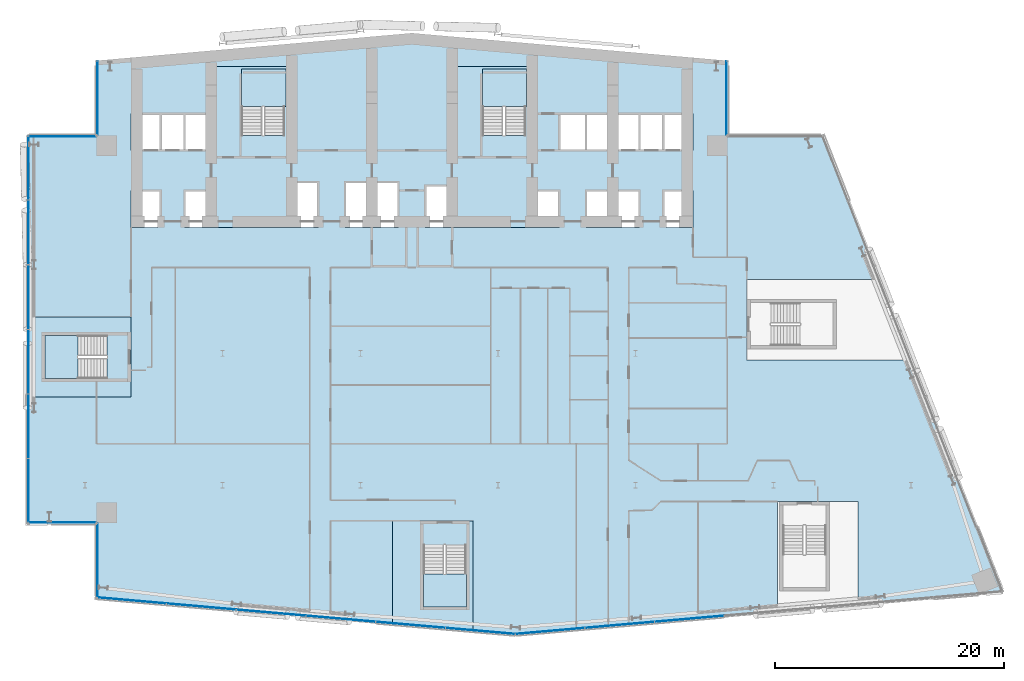
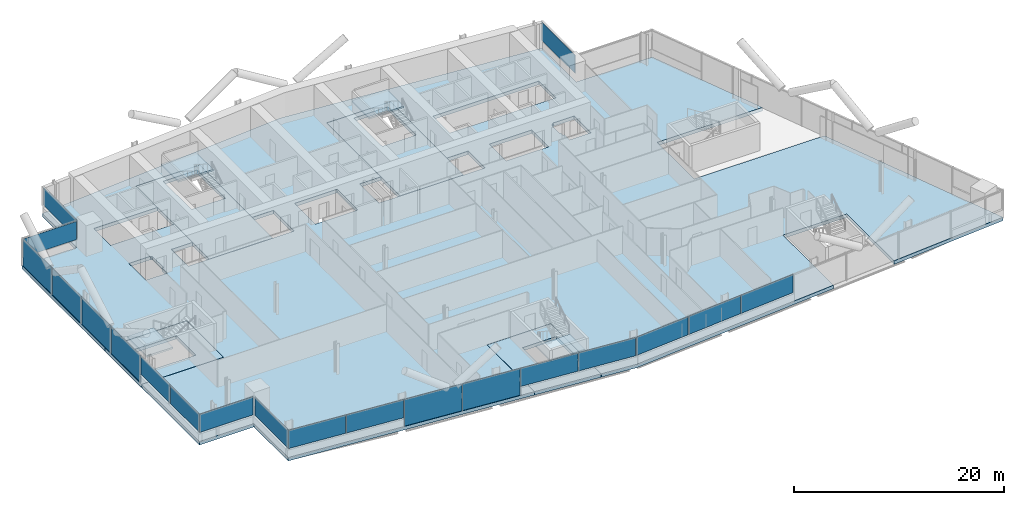
# One storey, part 12 of 27: 20 plates, 9 slabs, 12 elements without a shape of their own.
"""IFC4 building model written with IfcOpenShell, lengths in metres."""

from ifc_helpers import new_model, si_unit, direction, frame, origin, origin_2d, place, context, subcontext, project, spatial, polyline, rectangle, outline, extrude, material, layer, layer_set, type_object, element, aggregate, save


model = new_model("IFC4")

# Units and contexts
model_context = context("Model", 3, precision=1e-05, world=origin(), true_north=direction((0.0, 1.0)))
body_context = subcontext(model_context, "Body", "Model", "MODEL_VIEW")
ifc_project = project(units=[si_unit("LENGTHUNIT", "METRE"), si_unit("AREAUNIT", "SQUARE_METRE"), si_unit("VOLUMEUNIT", "CUBIC_METRE"), si_unit("PLANEANGLEUNIT", "RADIAN"), si_unit("MASSUNIT", "GRAM", prefix="KILO")], contexts=[model_context])

# Site, building, storey
site_placement = place(None, origin())
site = spatial("IfcSite", under=ifc_project, at=site_placement, CompositionType="ELEMENT")
building_placement = place(site_placement, origin())
building = spatial("IfcBuilding", under=site, at=building_placement, Name="Wharfspan Tower", CompositionType="ELEMENT")
storey_placement = place(building_placement, frame((0.0, 0.0, 111.100098)))
storey = spatial("IfcBuildingStorey", under=building, at=storey_placement, Name="L25", CompositionType="ELEMENT", Elevation=111.100098)

# Curtain wall, plates
ifc_material_1 = material(Name="Aluminium 6063-T6", Category="aluminium")
curtain_wall_type_1 = type_object("IfcCurtainWallType", Name="CURTAIN WALL FACETED FRONT", PredefinedType="NOTDEFINED", material=ifc_material_1)
curtain_wall_1_placement = place(storey_placement, origin())
curtain_wall_1 = element("IfcCurtainWall", 1, at=curtain_wall_1_placement, inside=storey, type_object=curtain_wall_type_1, Name="Curtain wall S1", PredefinedType="NOTDEFINED")
ifc_material_2 = material(Name="Glass clear low-iron double glazing", Category="glass")
ifc_layer_1 = layer(ifc_material_2, 0.040039)
ifc_layer_set_1 = layer_set([ifc_layer_1], Name="Glass clear low-iron double glazing")
plate_type_1 = type_object("IfcPlateType", Name="GLASS PANEL FACETED FRONT 40", PredefinedType="CURTAIN_PANEL", material=ifc_layer_set_1)
plate_1_placement = place(storey_placement, frame((16.061768, 1.467529, 0.999756), z_axis=(0.0, 0.0, 1.0), x_axis=(0.996198, -0.087156, 0.0)))
plate_1 = element("IfcPlate", 2, at=plate_1_placement, type_object=plate_type_1, Name="Curtain wall S1 panel 1", PredefinedType="CURTAIN_PANEL", context=body_context, shape_type="SweptSolid", body=[
    extrude(rectangle(XDim=6.016602, YDim=0.040039, at=origin_2d()), origin(), (0.0, 0.0, 1.0), 2.120117),
])
plate_2_placement = place(storey_placement, frame((22.130127, 0.936523, 0.999756), z_axis=(0.0, 0.0, 1.0), x_axis=(0.996198, -0.087156, 0.0)))
plate_2 = element("IfcPlate", 3, at=plate_2_placement, type_object=plate_type_1, Name="Curtain wall S1 panel 2", PredefinedType="CURTAIN_PANEL", context=body_context, shape_type="SweptSolid", body=[
    extrude(rectangle(XDim=6.046631, YDim=0.040039, at=origin_2d()), origin(), (0.0, 0.0, 1.0), 2.120117),
])
plate_3_placement = place(storey_placement, frame((40.380127, -0.660156, 0.999756), z_axis=(0.0, 0.0, 1.0), x_axis=(0.996198, -0.087156, 0.0)))
plate_3 = element("IfcPlate", 4, at=plate_3_placement, type_object=plate_type_1, Name="Curtain wall S1 panel 5", PredefinedType="CURTAIN_PANEL", context=body_context, shape_type="SweptSolid", body=[
    extrude(rectangle(XDim=6.046631, YDim=0.040039, at=origin_2d()), origin(), (0.0, 0.0, 1.0), 2.120117),
])
plate_4_placement = place(storey_placement, frame((46.44873, -1.191162, 0.999756), z_axis=(0.0, 0.0, 1.0), x_axis=(0.996198, -0.087156, 0.0)))
plate_4 = element("IfcPlate", 5, at=plate_4_placement, type_object=plate_type_1, Name="Curtain wall S1 panel 6", PredefinedType="CURTAIN_PANEL", context=body_context, shape_type="SweptSolid", body=[
    extrude(rectangle(XDim=6.016602, YDim=0.040039, at=origin_2d()), origin(), (0.0, 0.0, 1.0), 2.120117),
])

curtain_wall_2_placement = place(storey_placement, origin())
curtain_wall_2 = element("IfcCurtainWall", 6, at=curtain_wall_2_placement, inside=storey, type_object=curtain_wall_type_1, Name="Curtain wall S2", PredefinedType="NOTDEFINED")
plate_5_placement = place(storey_placement, frame((52.54541, -1.19165, 0.999756), z_axis=(0.0, 0.0, 1.0), x_axis=(0.996198, 0.087156, 0.0)))
plate_5 = element("IfcPlate", 7, at=plate_5_placement, type_object=plate_type_1, Name="Curtain wall S2 panel 1", PredefinedType="CURTAIN_PANEL", context=body_context, shape_type="SweptSolid", body=[
    extrude(rectangle(XDim=6.004639, YDim=0.040039, at=origin_2d()), origin(), (0.0, 0.0, 1.0), 2.120117),
])
plate_6_placement = place(storey_placement, frame((58.601807, -0.661621, 0.999756), z_axis=(0.0, 0.0, 1.0), x_axis=(0.996198, 0.087156, 0.0)))
plate_6 = element("IfcPlate", 8, at=plate_6_placement, type_object=plate_type_1, Name="Curtain wall S2 panel 2", PredefinedType="CURTAIN_PANEL", context=body_context, shape_type="SweptSolid", body=[
    extrude(rectangle(XDim=6.034668, YDim=0.040039, at=origin_2d()), origin(), (0.0, 0.0, 1.0), 2.120117),
])
plate_7_placement = place(storey_placement, frame((64.67334, -0.130615, 0.999756), z_axis=(0.0, 0.0, 1.0), x_axis=(0.996198, 0.087156, 0.0)))
plate_7 = element("IfcPlate", 9, at=plate_7_placement, type_object=plate_type_1, Name="Curtain wall S2 panel 3", PredefinedType="CURTAIN_PANEL", context=body_context, shape_type="SweptSolid", body=[
    extrude(rectangle(XDim=6.034668, YDim=0.040039, at=origin_2d()), origin(), (0.0, 0.0, 1.0), 2.120117),
])
aggregate(curtain_wall_2, [plate_5, plate_6, plate_7])

# Curtain wall, plate
curtain_wall_type_2 = type_object("IfcCurtainWallType", Name="CURTAIN WALL PROW AND END", PredefinedType="NOTDEFINED", material=ifc_material_1)
curtain_wall_3_placement = place(storey_placement, origin())
curtain_wall_3 = element("IfcCurtainWall", 10, at=curtain_wall_3_placement, inside=storey, type_object=curtain_wall_type_2, Name="Curtain wall NRE-V", PredefinedType="NOTDEFINED")
ifc_layer_2 = layer(ifc_material_2, 0.040039)
ifc_layer_set_2 = layer_set([ifc_layer_2], Name="Glass clear low-iron double glazing")
plate_type_2 = type_object("IfcPlateType", Name="GLASS PANEL PROW AND END 40", PredefinedType="CURTAIN_PANEL", material=ifc_layer_set_2)
plate_8_placement = place(storey_placement, frame((67.919922, 45.262451, 0.999756), z_axis=(0.0, 0.0, 1.0), x_axis=(0.0, 1.0, 0.0)))
plate_8 = element("IfcPlate", 11, at=plate_8_placement, type_object=plate_type_2, Name="Curtain wall NRE-V panel 1", PredefinedType="CURTAIN_PANEL", context=body_context, shape_type="SweptSolid", body=[
    extrude(rectangle(XDim=6.405029, YDim=0.040039, at=origin_2d()), origin(), (0.0, 0.0, 1.0), 2.120117),
])
aggregate(curtain_wall_3, [plate_8])

curtain_wall_4_placement = place(storey_placement, origin())
curtain_wall_4 = element("IfcCurtainWall", 12, at=curtain_wall_4_placement, inside=storey, type_object=curtain_wall_type_2, Name="Curtain wall NRW-V", PredefinedType="NOTDEFINED")
plate_9_placement = place(storey_placement, frame((13.080078, 45.262451, 0.999756), z_axis=(0.0, 0.0, 1.0), x_axis=(0.0, -1.0, 0.0)))
plate_9 = element("IfcPlate", 13, at=plate_9_placement, type_object=plate_type_2, Name="Curtain wall NRW-V panel 1", PredefinedType="CURTAIN_PANEL", context=body_context, shape_type="SweptSolid", body=[
    extrude(rectangle(XDim=6.405029, YDim=0.040039, at=origin_2d()), origin(), (0.0, 0.0, 1.0), 2.120117),
])
aggregate(curtain_wall_4, [plate_9])

curtain_wall_5_placement = place(storey_placement, origin())
curtain_wall_5 = element("IfcCurtainWall", 14, at=curtain_wall_5_placement, inside=storey, type_object=curtain_wall_type_2, Name="Curtain wall NRW-H", PredefinedType="NOTDEFINED")
plate_10_placement = place(storey_placement, frame((10.0, 41.919922, 0.999756), z_axis=(0.0, 0.0, 1.0), x_axis=(-1.0, 0.0, 0.0)))
plate_10 = element("IfcPlate", 15, at=plate_10_placement, type_object=plate_type_2, Name="Curtain wall NRW-H panel 1", PredefinedType="CURTAIN_PANEL", context=body_context, shape_type="SweptSolid", body=[
    extrude(rectangle(XDim=5.879883, YDim=0.040039, at=origin_2d()), origin(), (0.0, 0.0, 1.0), 2.120117),
])
aggregate(curtain_wall_5, [plate_10])

# Curtain wall, plates
curtain_wall_6_placement = place(storey_placement, origin())
curtain_wall_6 = element("IfcCurtainWall", 16, at=curtain_wall_6_placement, inside=storey, type_object=curtain_wall_type_2, Name="Curtain wall W", PredefinedType="NOTDEFINED")
plate_11_placement = place(storey_placement, frame((7.080078, 16.649902, 0.999756), z_axis=(0.0, 0.0, 1.0), x_axis=(0.0, -1.0, 0.0)))
plate_11 = element("IfcPlate", 17, at=plate_11_placement, type_object=plate_type_2, Name="Curtain wall W panel 5", PredefinedType="CURTAIN_PANEL", context=body_context, shape_type="SweptSolid", body=[
    extrude(rectangle(XDim=5.573242, YDim=0.040039, at=origin_2d()), origin(), (0.0, 0.0, 1.0), 2.120117),
])
plate_12_placement = place(storey_placement, frame((7.080078, 11.031738, 0.999756), z_axis=(0.0, 0.0, 1.0), x_axis=(0.0, -1.0, 0.0)))
plate_12 = element("IfcPlate", 18, at=plate_12_placement, type_object=plate_type_2, Name="Curtain wall W panel 6", PredefinedType="CURTAIN_PANEL", context=body_context, shape_type="SweptSolid", body=[
    extrude(rectangle(XDim=5.543213, YDim=0.040039, at=origin_2d()), origin(), (0.0, 0.0, 1.0), 2.120117),
])

# Curtain wall, plate
curtain_wall_7_placement = place(storey_placement, origin())
curtain_wall_7 = element("IfcCurtainWall", 19, at=curtain_wall_7_placement, inside=storey, type_object=curtain_wall_type_2, Name="Curtain wall NFW-H", PredefinedType="NOTDEFINED")
plate_13_placement = place(storey_placement, frame((10.0, 8.280029, 0.999756), z_axis=(0.0, 0.0, 1.0), x_axis=(1.0, 0.0, 0.0)))
plate_13 = element("IfcPlate", 20, at=plate_13_placement, type_object=plate_type_2, Name="Curtain wall NFW-H panel 1", PredefinedType="CURTAIN_PANEL", context=body_context, shape_type="SweptSolid", body=[
    extrude(rectangle(XDim=5.879883, YDim=0.040039, at=origin_2d()), origin(), (0.0, 0.0, 1.0), 2.120117),
])
aggregate(curtain_wall_7, [plate_13])

curtain_wall_8_placement = place(storey_placement, origin())
curtain_wall_8 = element("IfcCurtainWall", 21, at=curtain_wall_8_placement, inside=storey, type_object=curtain_wall_type_2, Name="Curtain wall NFW-V", PredefinedType="NOTDEFINED")
plate_14_placement = place(storey_placement, frame((13.080078, 4.9375, 0.999756), z_axis=(0.0, 0.0, 1.0), x_axis=(0.0, -1.0, 0.0)))
plate_14 = element("IfcPlate", 22, at=plate_14_placement, type_object=plate_type_2, Name="Curtain wall NFW-V panel 1", PredefinedType="CURTAIN_PANEL", context=body_context, shape_type="SweptSolid", body=[
    extrude(rectangle(XDim=6.405029, YDim=0.040039, at=origin_2d()), origin(), (0.0, 0.0, 1.0), 2.120117),
])
aggregate(curtain_wall_8, [plate_14])

# Plate
ifc_material_3 = material(Name="Aluminium composite opaque insulated panel", Category="aluminium")
ifc_layer_3 = layer(ifc_material_3, 0.040039)
ifc_layer_set_3 = layer_set([ifc_layer_3], Name="Aluminium composite opaque insulated panel")
plate_type_3 = type_object("IfcPlateType", Name="INFILL PANEL FACETED FRONT OPAQUE 40", PredefinedType="SHEET", material=ifc_layer_set_3)
plate_15_placement = place(storey_placement, frame((28.213623, 0.404297, -0.000244), z_axis=(0.0, 0.0, 1.0), x_axis=(0.996198, -0.087156, 0.0)))
plate_15 = element("IfcPlate", 23, at=plate_15_placement, type_object=plate_type_3, Name="Curtain wall S1 panel 3", PredefinedType="SHEET", context=body_context, shape_type="SweptSolid", body=[
    extrude(rectangle(XDim=6.046631, YDim=0.040039, at=origin_2d()), origin(), (0.0, 0.0, 1.0), 3.120117),
])

plate_16_placement = place(storey_placement, frame((34.296875, -0.12793, -0.000244), z_axis=(0.0, 0.0, 1.0), x_axis=(0.996198, -0.087156, 0.0)))
plate_16 = element("IfcPlate", 24, at=plate_16_placement, type_object=plate_type_3, Name="Curtain wall S1 panel 4", PredefinedType="SHEET", context=body_context, shape_type="SweptSolid", body=[
    extrude(rectangle(XDim=6.046631, YDim=0.040039, at=origin_2d()), origin(), (0.0, 0.0, 1.0), 3.120117),
])

aggregate(curtain_wall_1, [plate_1, plate_2, plate_15, plate_16, plate_3, plate_4])

ifc_layer_4 = layer(ifc_material_3, 0.040039)
ifc_layer_set_4 = layer_set([ifc_layer_4], Name="Aluminium composite opaque insulated panel")
plate_type_4 = type_object("IfcPlateType", Name="INFILL PANEL PROW AND END OPAQUE 40", PredefinedType="SHEET", material=ifc_layer_set_4)
plate_17_placement = place(storey_placement, frame((7.080078, 39.168213, -0.000244), z_axis=(0.0, 0.0, 1.0), x_axis=(0.0, -1.0, 0.0)))
plate_17 = element("IfcPlate", 25, at=plate_17_placement, type_object=plate_type_4, Name="Curtain wall W panel 1", PredefinedType="SHEET", context=body_context, shape_type="SweptSolid", body=[
    extrude(rectangle(XDim=5.543213, YDim=0.040039, at=origin_2d()), origin(), (0.0, 0.0, 1.0), 3.120117),
])

plate_18_placement = place(storey_placement, frame((7.080078, 33.550049, -0.000244), z_axis=(0.0, 0.0, 1.0), x_axis=(0.0, -1.0, 0.0)))
plate_18 = element("IfcPlate", 26, at=plate_18_placement, type_object=plate_type_4, Name="Curtain wall W panel 2", PredefinedType="SHEET", context=body_context, shape_type="SweptSolid", body=[
    extrude(rectangle(XDim=5.573242, YDim=0.040039, at=origin_2d()), origin(), (0.0, 0.0, 1.0), 3.120117),
])

plate_19_placement = place(storey_placement, frame((7.080078, 27.916748, -0.000244), z_axis=(0.0, 0.0, 1.0), x_axis=(0.0, -1.0, 0.0)))
plate_19 = element("IfcPlate", 27, at=plate_19_placement, type_object=plate_type_4, Name="Curtain wall W panel 3", PredefinedType="SHEET", context=body_context, shape_type="SweptSolid", body=[
    extrude(rectangle(XDim=5.573242, YDim=0.040039, at=origin_2d()), origin(), (0.0, 0.0, 1.0), 3.120117),
])

plate_20_placement = place(storey_placement, frame((7.080078, 22.283447, -0.000244), z_axis=(0.0, 0.0, 1.0), x_axis=(0.0, -1.0, 0.0)))
plate_20 = element("IfcPlate", 28, at=plate_20_placement, type_object=plate_type_4, Name="Curtain wall W panel 4", PredefinedType="SHEET", context=body_context, shape_type="SweptSolid", body=[
    extrude(rectangle(XDim=5.573242, YDim=0.040039, at=origin_2d()), origin(), (0.0, 0.0, 1.0), 3.120117),
])

aggregate(curtain_wall_6, [plate_17, plate_18, plate_19, plate_20, plate_11, plate_12])

# Slabs
ifc_material_4 = material(Name="Concrete C40/50", Category="concrete")
ifc_layer_5 = layer(ifc_material_4, 0.399902)
ifc_layer_set_5 = layer_set([ifc_layer_5], Name="Concrete C40/50")
slab_type_1 = type_object("IfcSlabType", Name="Post-tensioned flat slab 400", PredefinedType="FLOOR", material=ifc_layer_set_5)
slab_1_placement = place(storey_placement, frame((0.0, 0.0, -0.400146)))
element("IfcSlab", 29, at=slab_1_placement, inside=storey, type_object=slab_type_1, Name="Floor slab L25", PredefinedType="FLOOR", context=body_context, shape_type="SweptSolid", body=[
    extrude(outline(polyline([(38.800293, -0.582275), (38.800293, 8.427002), (45.820312, 8.427002), (45.820312, -1.196289), (49.5, -1.518311), (72.355957, 0.481445), (72.355957, 10.104736), (79.375977, 10.104736), (79.375977, 1.095459), (92.0, 2.199951), (84.04541, 22.439941), (69.68042, 22.439941), (69.68042, 29.459961), (81.286621, 29.459961), (76.358154, 42.0), (68.0, 42.0), (68.0, 48.524902), (40.5, 50.930908), (13.0, 48.524902), (13.0, 42.0), (7.0, 42.0), (7.0, 26.209961), (16.01001, 26.209961), (16.01001, 19.189941), (7.0, 19.189941), (7.0, 8.199951), (13.0, 8.199951), (13.0, 1.675049), (38.800293, -0.582275)]), holes=[polyline([(62.48999, 35.389893), (62.36499, 35.389893), (62.36499, 36.909912), (62.48999, 36.909912), (62.48999, 37.110107), (62.656738, 37.110107), (62.656738, 37.209961), (65.01001, 37.209961), (65.01001, 33.98999), (62.656738, 33.98999), (62.656738, 34.98999), (62.48999, 34.98999), (62.48999, 35.389893)]), polyline([(65.01001, 43.909912), (65.01001, 40.689941), (53.323242, 40.689941), (53.323242, 43.909912), (65.01001, 43.909912)]), polyline([(55.656738, 33.98999), (55.656738, 37.209961), (60.343262, 37.209961), (60.343262, 33.98999), (55.656738, 33.98999)]), polyline([(43.98999, 37.659912), (43.98999, 48.01001), (51.01001, 48.01001), (51.01001, 37.209961), (53.343262, 37.209961), (53.343262, 33.98999), (41.656738, 33.98999), (41.656738, 37.659912), (43.98999, 37.659912)]), polyline([(34.656738, 33.98999), (34.656738, 37.959961), (39.343262, 37.959961), (39.343262, 33.98999), (34.656738, 33.98999)]), polyline([(20.656738, 37.209961), (22.98999, 37.209961), (22.98999, 40.689941), (20.676758, 40.689941), (20.656738, 40.689941), (15.98999, 40.689941), (15.98999, 43.909912), (20.656738, 43.909912), (20.676758, 43.909912), (22.98999, 43.909912), (22.98999, 48.01001), (30.01001, 48.01001), (30.01001, 37.959961), (32.343262, 37.959961), (32.343262, 33.98999), (20.656738, 33.98999), (20.656738, 37.209961)]), polyline([(18.51001, 34.98999), (18.343262, 34.98999), (18.343262, 33.98999), (15.98999, 33.98999), (15.98999, 37.209961), (18.343262, 37.209961), (18.343262, 37.110107), (18.51001, 37.110107), (18.51001, 34.98999)])]), origin(), (0.0, 0.0, 1.0), 0.400146),
])
slab_2_placement = place(storey_placement, frame((0.0, 0.0, -0.400146)))
element("IfcSlab", 30, at=slab_2_placement, inside=storey, type_object=slab_type_1, Name="Core floor slab L25 part 1", PredefinedType="FLOOR", context=body_context, shape_type="SweptSolid", body=[
    extrude(outline(polyline([(16.0, 20.524902), (16.0, 24.875), (16.0, 26.199951), (7.0, 26.199951), (7.0, 19.199951), (16.0, 19.199951), (16.0, 20.524902)]), holes=[polyline([(13.9021, 20.824951), (13.9021, 20.824707), (13.9021, 20.824707), (13.901855, 20.824463), (13.901855, 20.824219), (13.901855, 20.824219), (13.901611, 20.823975), (13.901611, 20.82373), (13.901367, 20.823486), (13.901367, 20.823486), (13.901123, 20.823242), (13.900879, 20.823242), (13.900879, 20.823242), (13.900635, 20.822998), (13.900391, 20.822998), (13.900146, 20.822998), (13.899902, 20.822998), (8.5, 20.822998), (8.499756, 20.822998), (8.499512, 20.822998), (8.499512, 20.822998), (8.499268, 20.823242), (8.499023, 20.823242), (8.498779, 20.823242), (8.498779, 20.823486), (8.498535, 20.823486), (8.498535, 20.82373), (8.498291, 20.823975), (8.498291, 20.824219), (8.498291, 20.824219), (8.498047, 20.824463), (8.498047, 20.824707), (8.498047, 20.824707), (8.498047, 20.824951), (8.498047, 24.574951), (8.498047, 24.575195), (8.498047, 24.575439), (8.498047, 24.575684), (8.498291, 24.575684), (8.498291, 24.575928), (8.498291, 24.576172), (8.498535, 24.576416), (8.498535, 24.576416), (8.498779, 24.576416), (8.498779, 24.57666), (8.499023, 24.576904), (8.499268, 24.576904), (8.499512, 24.576904), (8.499512, 24.576904), (8.499756, 24.576904), (8.5, 24.576904), (13.899902, 24.576904), (13.900146, 24.576904), (13.900391, 24.576904), (13.900635, 24.576904), (13.900879, 24.576904), (13.900879, 24.576904), (13.901123, 24.57666), (13.901367, 24.576416), (13.901367, 24.576416), (13.901611, 24.576416), (13.901611, 24.576172), (13.901855, 24.575928), (13.901855, 24.575684), (13.901855, 24.575684), (13.9021, 24.575439), (13.9021, 24.575195), (13.9021, 24.574951), (13.9021, 20.824951)])]), origin(), (0.0, 0.0, 1.0), 0.400146),
])
slab_3_placement = place(storey_placement, frame((0.0, 0.0, -0.400146)))
element("IfcSlab", 31, at=slab_3_placement, inside=storey, type_object=slab_type_1, Name="Core floor slab L25 part 2", PredefinedType="FLOOR", context=body_context, shape_type="SweptSolid", body=[
    extrude(outline(polyline([(20.664795, 34.0), (20.664795, 37.199951), (20.664795, 37.200195), (20.664795, 37.200439), (20.664795, 37.200684), (20.664795, 37.200684), (20.664795, 37.200928), (20.665039, 37.201172), (20.665039, 37.201416), (20.665283, 37.201416), (20.665283, 37.201416), (20.665527, 37.20166), (20.665771, 37.201904), (20.666016, 37.201904), (20.666016, 37.201904), (20.66626, 37.201904), (20.666504, 37.201904), (20.666748, 37.201904), (23.0, 37.201904), (23.000244, 37.201904), (23.000488, 37.201904), (23.000488, 37.201904), (23.000732, 37.201904), (23.000977, 37.201904), (23.001221, 37.20166), (23.001221, 37.201416), (23.001465, 37.201416), (23.001465, 37.201416), (23.001709, 37.201172), (23.001709, 37.200928), (23.001709, 37.200684), (23.001953, 37.200684), (23.001953, 37.200439), (23.001953, 37.200195), (23.001953, 37.199951), (23.001953, 34.0), (29.998047, 34.0), (29.998047, 37.949951), (29.998047, 37.950195), (29.998047, 37.950439), (29.998047, 37.950684), (29.998291, 37.950684), (29.998291, 37.950928), (29.998291, 37.951172), (29.998535, 37.951416), (29.998535, 37.951416), (29.998779, 37.951416), (29.998779, 37.95166), (29.999023, 37.951904), (29.999268, 37.951904), (29.999512, 37.951904), (29.999512, 37.951904), (29.999756, 37.951904), (30.0, 37.951904), (32.333252, 37.951904), (32.333496, 37.951904), (32.33374, 37.951904), (32.333984, 37.951904), (32.333984, 37.951904), (32.334229, 37.951904), (32.334473, 37.95166), (32.334717, 37.951416), (32.334717, 37.951416), (32.334961, 37.951416), (32.334961, 37.951172), (32.335205, 37.950928), (32.335205, 37.950684), (32.335205, 37.950684), (32.335205, 37.950439), (32.335205, 37.950195), (32.335205, 37.949951), (32.335205, 34.0), (32.341309, 34.0), (32.341309, 37.958008), (30.01001, 37.958008), (30.009766, 37.958008), (30.009521, 37.958008), (30.009521, 37.958008), (30.009277, 37.958252), (30.009033, 37.958252), (30.008789, 37.958252), (30.008789, 37.958496), (30.008545, 37.958496), (30.008545, 37.95874), (30.008301, 37.958984), (30.008301, 37.958984), (30.008301, 37.959229), (30.008057, 37.959473), (30.008057, 37.959717), (30.008057, 37.959717), (30.008057, 37.959961), (30.008057, 48.008057), (22.991943, 48.008057), (22.991943, 43.909912), (22.991943, 43.909912), (22.991943, 43.909668), (22.991943, 43.909424), (22.991699, 43.90918), (22.991699, 43.90918), (22.991699, 43.908936), (22.991455, 43.908691), (22.991455, 43.908691), (22.991211, 43.908447), (22.991211, 43.908203), (22.990967, 43.908203), (22.990723, 43.908203), (22.990479, 43.908203), (22.990479, 43.907959), (22.990234, 43.907959), (22.98999, 43.907959), (16.0, 43.907959), (16.0, 43.9021), (20.666748, 43.9021), (20.666748, 43.9021), (23.0, 43.9021), (23.000244, 43.9021), (23.000488, 43.9021), (23.000488, 43.901855), (23.000732, 43.901855), (23.000977, 43.901855), (23.001221, 43.901611), (23.001221, 43.901611), (23.001465, 43.901367), (23.001465, 43.901367), (23.001709, 43.901123), (23.001709, 43.900879), (23.001709, 43.900879), (23.001953, 43.900635), (23.001953, 43.900391), (23.001953, 43.900146), (23.001953, 43.899902), (23.001953, 40.699951), (23.001953, 40.699707), (23.001953, 40.699707), (23.001953, 40.699463), (23.001709, 40.699219), (23.001709, 40.699219), (23.001709, 40.698975), (23.001465, 40.69873), (23.001465, 40.698486), (23.001221, 40.698486), (23.001221, 40.698242), (23.000977, 40.698242), (23.000732, 40.698242), (23.000488, 40.697998), (23.000488, 40.697998), (23.000244, 40.697998), (23.0, 40.697998), (20.666748, 40.697998), (20.666748, 40.697998), (16.0, 40.697998), (16.0, 40.691895), (22.98999, 40.691895), (22.990234, 40.691895), (22.990479, 40.691895), (22.990479, 40.691895), (22.990723, 40.691895), (22.990967, 40.691895), (22.991211, 40.69165), (22.991211, 40.691406), (22.991455, 40.691406), (22.991455, 40.691406), (22.991699, 40.691162), (22.991699, 40.690918), (22.991699, 40.690918), (22.991943, 40.690674), (22.991943, 40.69043), (22.991943, 40.690186), (22.991943, 40.689941), (22.991943, 37.209961), (22.991943, 37.209717), (22.991943, 37.209717), (22.991943, 37.209473), (22.991699, 37.209229), (22.991699, 37.208984), (22.991699, 37.208984), (22.991455, 37.20874), (22.991455, 37.208496), (22.991211, 37.208496), (22.991211, 37.208252), (22.990967, 37.208252), (22.990723, 37.208252), (22.990479, 37.208008), (22.990479, 37.208008), (22.990234, 37.208008), (22.98999, 37.208008), (20.658691, 37.208008), (20.658691, 34.0), (20.664795, 34.0)]), holes=[polyline([(25.649902, 41.998047), (25.649902, 41.998047), (25.649658, 41.998047), (25.649414, 41.998047), (25.64917, 41.998291), (25.64917, 41.998291), (25.648926, 41.998291), (25.648682, 41.998535), (25.648682, 41.998535), (25.648438, 41.998779), (25.648193, 41.998779), (25.648193, 41.999023), (25.648193, 41.999268), (25.648193, 41.999512), (25.647949, 41.999512), (25.647949, 41.999756), (25.647949, 42.0), (25.647949, 47.399902), (25.647949, 47.400146), (25.647949, 47.400391), (25.648193, 47.400635), (25.648193, 47.400879), (25.648193, 47.400879), (25.648193, 47.401123), (25.648438, 47.401367), (25.648682, 47.401367), (25.648682, 47.401611), (25.648926, 47.401611), (25.64917, 47.401855), (25.64917, 47.401855), (25.649414, 47.401855), (25.649658, 47.4021), (25.649902, 47.4021), (25.649902, 47.4021), (29.399902, 47.4021), (29.400146, 47.4021), (29.400391, 47.4021), (29.400635, 47.401855), (29.400879, 47.401855), (29.400879, 47.401855), (29.401123, 47.401611), (29.401367, 47.401611), (29.401367, 47.401367), (29.401611, 47.401367), (29.401611, 47.401123), (29.401855, 47.400879), (29.401855, 47.400879), (29.401855, 47.400635), (29.4021, 47.400391), (29.4021, 47.400146), (29.4021, 47.399902), (29.4021, 42.0), (29.4021, 41.999756), (29.4021, 41.999512), (29.401855, 41.999512), (29.401855, 41.999268), (29.401855, 41.999023), (29.401611, 41.998779), (29.401611, 41.998779), (29.401367, 41.998535), (29.401367, 41.998535), (29.401123, 41.998291), (29.400879, 41.998291), (29.400879, 41.998291), (29.400635, 41.998047), (29.400391, 41.998047), (29.400146, 41.998047), (29.399902, 41.998047), (25.649902, 41.998047)])]), origin(), (0.0, 0.0, 1.0), 0.400146),
])
slab_4_placement = place(storey_placement, frame((0.0, 0.0, -0.400146)))
element("IfcSlab", 32, at=slab_4_placement, inside=storey, type_object=slab_type_1, Name="Core floor slab L25 part 3", PredefinedType="FLOOR", context=body_context, shape_type="SweptSolid", body=[
    extrude(outline(polyline([(45.5354, 8.416992), (41.185303, 8.416992), (38.810303, 8.416992), (38.810303, -0.583008), (45.810303, -1.195557), (45.810303, 8.416992), (45.5354, 8.416992)]), holes=[polyline([(41.483398, 6.316895), (41.483398, 6.317139), (41.483398, 6.317383), (41.483398, 6.317383), (41.483398, 6.317627), (41.483398, 6.317871), (41.483643, 6.318115), (41.483643, 6.318115), (41.483887, 6.318359), (41.483887, 6.318604), (41.484131, 6.318604), (41.484375, 6.318604), (41.484619, 6.318848), (41.484619, 6.318848), (41.484863, 6.318848), (41.485107, 6.319092), (41.485352, 6.319092), (45.235352, 6.319092), (45.235596, 6.319092), (45.235596, 6.318848), (45.23584, 6.318848), (45.236084, 6.318848), (45.236084, 6.318604), (45.236328, 6.318604), (45.236572, 6.318604), (45.236816, 6.318359), (45.236816, 6.318115), (45.236816, 6.318115), (45.237061, 6.317871), (45.237061, 6.317627), (45.237305, 6.317383), (45.237305, 6.317383), (45.237305, 6.317139), (45.237305, 6.316895), (45.237305, 0.916992), (45.237305, 0.916748), (45.237305, 0.916504), (45.237305, 0.916504), (45.237061, 0.91626), (45.237061, 0.916016), (45.236816, 0.916016), (45.236816, 0.915771), (45.236816, 0.915527), (45.236572, 0.915283), (45.236328, 0.915283), (45.236084, 0.915283), (45.236084, 0.915039), (45.23584, 0.915039), (45.235596, 0.915039), (45.235596, 0.915039), (45.235352, 0.915039), (41.485352, 0.915039), (41.485107, 0.915039), (41.484863, 0.915039), (41.484619, 0.915039), (41.484619, 0.915039), (41.484375, 0.915283), (41.484131, 0.915283), (41.483887, 0.915283), (41.483887, 0.915527), (41.483643, 0.915771), (41.483643, 0.916016), (41.483398, 0.916016), (41.483398, 0.91626), (41.483398, 0.916504), (41.483398, 0.916504), (41.483398, 0.916748), (41.483398, 0.916992), (41.483398, 6.316895)])]), origin(), (0.0, 0.0, 1.0), 0.400146),
])
slab_5_placement = place(storey_placement, frame((0.0, 0.0, -0.400146)))
element("IfcSlab", 33, at=slab_5_placement, inside=storey, type_object=slab_type_1, Name="Core floor slab L25 part 4", PredefinedType="FLOOR", context=body_context, shape_type="SweptSolid", body=[
    extrude(outline(polyline([(53.341309, 34.0), (53.341309, 37.208008), (51.01001, 37.208008), (51.009766, 37.208008), (51.009521, 37.208008), (51.009521, 37.208008), (51.009277, 37.208252), (51.009033, 37.208252), (51.008789, 37.208252), (51.008789, 37.208496), (51.008545, 37.208496), (51.008545, 37.20874), (51.008301, 37.208984), (51.008301, 37.208984), (51.008301, 37.209229), (51.008057, 37.209473), (51.008057, 37.209717), (51.008057, 37.209717), (51.008057, 37.209961), (51.008057, 48.008057), (43.991943, 48.008057), (43.991943, 37.659912), (43.991943, 37.659912), (43.991943, 37.659668), (43.991943, 37.659424), (43.991699, 37.65918), (43.991699, 37.65918), (43.991699, 37.658936), (43.991455, 37.658691), (43.991455, 37.658691), (43.991211, 37.658447), (43.991211, 37.658203), (43.990967, 37.658203), (43.990723, 37.658203), (43.990479, 37.658203), (43.990479, 37.657959), (43.990234, 37.657959), (43.98999, 37.657959), (41.658691, 37.657959), (41.658691, 34.0), (41.664795, 34.0), (41.664795, 37.649902), (41.664795, 37.650146), (41.664795, 37.650391), (41.664795, 37.650635), (41.664795, 37.650879), (41.664795, 37.650879), (41.665039, 37.651123), (41.665039, 37.651367), (41.665283, 37.651367), (41.665283, 37.651611), (41.665527, 37.651611), (41.665771, 37.651855), (41.666016, 37.651855), (41.666016, 37.651855), (41.66626, 37.6521), (41.666504, 37.6521), (41.666748, 37.6521), (44.0, 37.6521), (44.000244, 37.6521), (44.000488, 37.6521), (44.000488, 37.651855), (44.000732, 37.651855), (44.000977, 37.651855), (44.001221, 37.651611), (44.001221, 37.651611), (44.001465, 37.651367), (44.001465, 37.651367), (44.001709, 37.651123), (44.001709, 37.650879), (44.001709, 37.650879), (44.001953, 37.650635), (44.001953, 37.650391), (44.001953, 37.650146), (44.001953, 37.649902), (44.001953, 34.0), (50.998047, 34.0), (50.998047, 37.199951), (50.998047, 37.200195), (50.998047, 37.200439), (50.998047, 37.200684), (50.998291, 37.200684), (50.998291, 37.200928), (50.998291, 37.201172), (50.998535, 37.201416), (50.998535, 37.201416), (50.998779, 37.201416), (50.998779, 37.20166), (50.999023, 37.201904), (50.999268, 37.201904), (50.999512, 37.201904), (50.999512, 37.201904), (50.999756, 37.201904), (51.0, 37.201904), (53.333252, 37.201904), (53.333496, 37.201904), (53.33374, 37.201904), (53.333984, 37.201904), (53.333984, 37.201904), (53.334229, 37.201904), (53.334473, 37.20166), (53.334717, 37.201416), (53.334717, 37.201416), (53.334961, 37.201416), (53.334961, 37.201172), (53.335205, 37.200928), (53.335205, 37.200684), (53.335205, 37.200684), (53.335205, 37.200439), (53.335205, 37.200195), (53.335205, 37.199951), (53.335205, 34.0), (53.341309, 34.0)]), holes=[polyline([(50.4021, 42.0), (50.4021, 41.999756), (50.4021, 41.999512), (50.401855, 41.999512), (50.401855, 41.999268), (50.401855, 41.999023), (50.401611, 41.998779), (50.401611, 41.998779), (50.401367, 41.998535), (50.401367, 41.998535), (50.401123, 41.998291), (50.400879, 41.998291), (50.400879, 41.998291), (50.400635, 41.998047), (50.400391, 41.998047), (50.400146, 41.998047), (50.399902, 41.998047), (46.649902, 41.998047), (46.649902, 41.998047), (46.649658, 41.998047), (46.649414, 41.998047), (46.64917, 41.998291), (46.64917, 41.998291), (46.648926, 41.998291), (46.648682, 41.998535), (46.648682, 41.998535), (46.648438, 41.998779), (46.648193, 41.998779), (46.648193, 41.999023), (46.648193, 41.999268), (46.648193, 41.999512), (46.647949, 41.999512), (46.647949, 41.999756), (46.647949, 42.0), (46.647949, 47.399902), (46.647949, 47.400146), (46.647949, 47.400391), (46.648193, 47.400635), (46.648193, 47.400879), (46.648193, 47.400879), (46.648193, 47.401123), (46.648438, 47.401367), (46.648682, 47.401367), (46.648682, 47.401611), (46.648926, 47.401611), (46.64917, 47.401855), (46.64917, 47.401855), (46.649414, 47.401855), (46.649658, 47.4021), (46.649902, 47.4021), (46.649902, 47.4021), (50.399902, 47.4021), (50.400146, 47.4021), (50.400391, 47.4021), (50.400635, 47.401855), (50.400879, 47.401855), (50.400879, 47.401855), (50.401123, 47.401611), (50.401367, 47.401611), (50.401367, 47.401367), (50.401611, 47.401367), (50.401611, 47.401123), (50.401855, 47.400879), (50.401855, 47.400879), (50.401855, 47.400635), (50.4021, 47.400391), (50.4021, 47.400146), (50.4021, 47.399902), (50.4021, 42.0)])]), origin(), (0.0, 0.0, 1.0), 0.400146),
])

# Stair, slab
stair_type = type_object("IfcStairType", Name="Half-turn stair 20 risers 180 mm", PredefinedType="HALF_TURN_STAIR", material=ifc_material_4)
stair_1_placement = place(storey_placement, origin())
stair_1 = element("IfcStair", 34, at=stair_1_placement, inside=storey, type_object=stair_type, Name="L25 stair ST1", PredefinedType="HALF_TURN_STAIR")
ifc_layer_6 = layer(ifc_material_4, 0.199951)
ifc_layer_set_6 = layer_set([ifc_layer_6], Name="Concrete C40/50")
slab_type_2 = type_object("IfcSlabType", Name="Stair landing 200", PredefinedType="LANDING", material=ifc_layer_set_6)
slab_6_placement = place(storey_placement, frame((0.0, 0.0, 1.599609)))
slab_6 = element("IfcSlab", 35, at=slab_6_placement, type_object=slab_type_2, Name="ST1 landing 1", PredefinedType="LANDING", context=body_context, shape_type="SweptSolid", body=[
    extrude(outline(polyline([(25.649902, 44.52002), (29.5, 44.52002), (29.5, 47.783691), (25.649902, 47.783691), (25.649902, 44.52002)])), origin(), (0.0, 0.0, 1.0), 0.200195),
])
aggregate(stair_1, [slab_6])

stair_2_placement = place(storey_placement, origin())
stair_2 = element("IfcStair", 36, at=stair_2_placement, inside=storey, type_object=stair_type, Name="L25 stair ST2", PredefinedType="HALF_TURN_STAIR")
slab_7_placement = place(storey_placement, frame((0.0, 0.0, 1.599609)))
slab_7 = element("IfcSlab", 37, at=slab_7_placement, type_object=slab_type_2, Name="ST2 landing 1", PredefinedType="LANDING", context=body_context, shape_type="SweptSolid", body=[
    extrude(outline(polyline([(46.649902, 44.52002), (50.5, 44.52002), (50.5, 47.783691), (46.649902, 47.783691), (46.649902, 44.52002)])), origin(), (0.0, 0.0, 1.0), 0.200195),
])
aggregate(stair_2, [slab_7])

stair_3_placement = place(storey_placement, origin())
stair_3 = element("IfcStair", 38, at=stair_3_placement, inside=storey, type_object=stair_type, Name="L25 stair ST3", PredefinedType="HALF_TURN_STAIR")
slab_8_placement = place(storey_placement, frame((0.0, 0.0, 1.599609)))
slab_8 = element("IfcSlab", 39, at=slab_8_placement, type_object=slab_type_2, Name="ST3 landing 1", PredefinedType="LANDING", context=body_context, shape_type="SweptSolid", body=[
    extrude(outline(polyline([(11.379883, 24.574951), (8.5, 24.574951), (8.5, 20.824951), (11.379883, 20.824951), (11.379883, 24.574951)])), origin(), (0.0, 0.0, 1.0), 0.200195),
])
aggregate(stair_3, [slab_8])

stair_4_placement = place(storey_placement, origin())
stair_4 = element("IfcStair", 40, at=stair_4_placement, inside=storey, type_object=stair_type, Name="L25 stair ST4", PredefinedType="HALF_TURN_STAIR")
slab_9_placement = place(storey_placement, frame((0.0, 0.0, 1.599609)))
slab_9 = element("IfcSlab", 41, at=slab_9_placement, type_object=slab_type_2, Name="ST4 landing 1", PredefinedType="LANDING", context=body_context, shape_type="SweptSolid", body=[
    extrude(outline(polyline([(41.485352, 3.796875), (41.485352, 0.916992), (45.235352, 0.916992), (45.235352, 3.796875), (41.485352, 3.796875)])), origin(), (0.0, 0.0, 1.0), 0.200195),
])
aggregate(stair_4, [slab_9])

save(model, "model.ifc")
